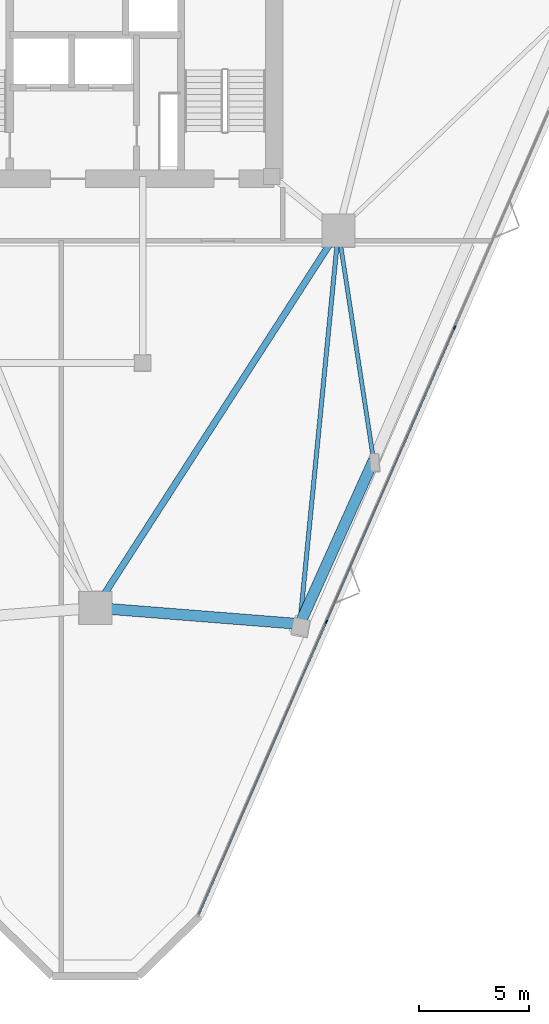
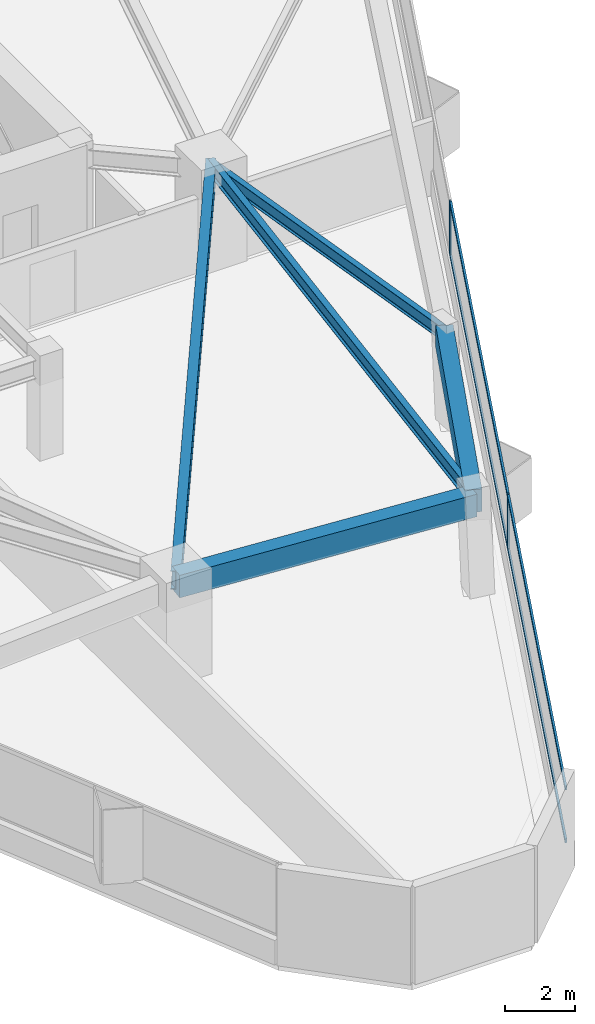
# One storey, part 3 of 13: 6 members, 5 beams, 1 element without a shape of its own.
"""IFC4 building model written with IfcOpenShell, lengths in metres."""

from ifc_helpers import new_model, si_unit, direction, frame, origin, origin_2d, place, context, subcontext, project, spatial, rectangle, i_section, extrude, material, layer, layer_set, material_profile, profile_set, type_object, element, aggregate, save


model = new_model("IFC4")

# Units and contexts
model_context = context("Model", 3, precision=1e-05, world=origin(), true_north=direction((0.0, 1.0)))
body_context = subcontext(model_context, "Body", "Model", "MODEL_VIEW")
ifc_project = project(units=[si_unit("LENGTHUNIT", "METRE"), si_unit("AREAUNIT", "SQUARE_METRE"), si_unit("VOLUMEUNIT", "CUBIC_METRE"), si_unit("PLANEANGLEUNIT", "RADIAN"), si_unit("MASSUNIT", "GRAM", prefix="KILO")], contexts=[model_context])

# Site, building, storey
site_placement = place(None, origin())
site = spatial("IfcSite", under=ifc_project, at=site_placement, CompositionType="ELEMENT")
building_placement = place(site_placement, origin())
building = spatial("IfcBuilding", under=site, at=building_placement, Name="Talyreon Biosciences Tower", CompositionType="ELEMENT")
storey_placement = place(building_placement, frame((0.0, 0.0, 145.449951171875)))
storey = spatial("IfcBuildingStorey", under=building, at=storey_placement, Name="L38", CompositionType="ELEMENT", Elevation=145.449951171875)

# Curtain wall, members
ifc_material_1 = material(Name="Thermally broken aluminium and low-E glazing", Category="aluminium")
ifc_layer = layer(ifc_material_1, 0.18505859375)
ifc_layer_set = layer_set([ifc_layer], Name="Thermally broken aluminium and low-E glazing")
curtain_wall_type = type_object("IfcCurtainWallType", Name="CurtainWall_Zone3Bioprocess", PredefinedType="NOTDEFINED", material=ifc_layer_set)
curtain_wall_placement = place(storey_placement, origin())
curtain_wall = element("IfcCurtainWall", 1, at=curtain_wall_placement, inside=storey, type_object=curtain_wall_type, Name="L38 Unitised Curtain Wall FCW-L38-08", PredefinedType="NOTDEFINED")
ifc_material_2 = material(Name="Anodised thermally broken aluminium", Category="aluminium")
ifc_material_profile_1 = material_profile(ifc_material_2, rectangle(XDim=0.06494140625, YDim=0.179931640625, at=origin_2d()), Name="ALUM MULLION 65x180")
ifc_profile_set_1 = profile_set([ifc_material_profile_1], Name="Anodised thermally broken aluminium")
member_type_1 = type_object("IfcMemberType", Name="CWMullion_65x180", PredefinedType="MULLION", material=ifc_profile_set_1)
member_1_placement = place(storey_placement, frame((82.389404296875, 54.449462890625, 0.81005859375), z_axis=(0.0, 0.0, 1.0), x_axis=(0.916646882049, -0.399698003034, 0.0)))
member_1 = element("IfcMember", 2, at=member_1_placement, type_object=member_type_1, Name="CW4 mullion 3", PredefinedType="MULLION", context=body_context, shape_type="SweptSolid", body=[
    extrude(rectangle(XDim=0.06494140625, YDim=0.179931640625, at=origin_2d()), origin(), (0.0, 0.0, 1.0), 1.889892578125),
])
member_2_placement = place(storey_placement, frame((76.541259765625, 41.037841796875, 0.81005859375), z_axis=(0.0, 0.0, 1.0), x_axis=(0.916646882049, -0.399698003034, 0.0)))
member_2 = element("IfcMember", 3, at=member_2_placement, type_object=member_type_1, Name="CW4 mullion 4", PredefinedType="MULLION", context=body_context, shape_type="SweptSolid", body=[
    extrude(rectangle(XDim=0.06494140625, YDim=0.179931640625, at=origin_2d()), origin(), (0.0, 0.0, 1.0), 1.889892578125),
])
ifc_material_profile_2 = material_profile(ifc_material_2, rectangle(XDim=0.06494140625, YDim=0.139892578125, at=origin_2d()), Name="ALUM TRANSOM 65x140")
ifc_profile_set_2 = profile_set([ifc_material_profile_2], Name="Anodised thermally broken aluminium")
member_type_2 = type_object("IfcMemberType", Name="CWTransom_65x140", PredefinedType="USERDEFINED", material=ifc_profile_set_2)
member_3_placement = place(storey_placement, frame((82.37646484375, 54.419677734375, 0.842529296875), z_axis=(-0.399694844406, -0.916648259342, 0.0), x_axis=(0.916648259342, -0.399694844406, 0.0)))
member_3 = element("IfcMember", 4, at=member_3_placement, type_object=member_type_2, Name="CW4 transom 3.1", ObjectType="TRANSOM", PredefinedType="USERDEFINED", context=body_context, shape_type="SweptSolid", body=[
    extrude(rectangle(XDim=0.06494140625, YDim=0.139892578125, at=origin_2d()), origin(), (0.0, 0.0, 1.0), 14.566162109375),
])
member_4_placement = place(storey_placement, frame((82.37646484375, 54.419677734375, 2.66748046875), z_axis=(-0.399694844406, -0.916648259342, 0.0), x_axis=(0.916648259342, -0.399694844406, 0.0)))
member_4 = element("IfcMember", 5, at=member_4_placement, type_object=member_type_2, Name="CW4 transom 3.2", ObjectType="TRANSOM", PredefinedType="USERDEFINED", context=body_context, shape_type="SweptSolid", body=[
    extrude(rectangle(XDim=0.06494140625, YDim=0.139892578125, at=origin_2d()), origin(), (0.0, 0.0, 1.0), 14.566162109375),
])
member_5_placement = place(storey_placement, frame((76.5283203125, 41.008056640625, 0.842529296875), z_axis=(-0.399697622423, -0.916647048012, 0.0), x_axis=(0.916647048012, -0.399697622423, 0.0)))
member_5 = element("IfcMember", 6, at=member_5_placement, type_object=member_type_2, Name="CW4 transom 4.1", ObjectType="TRANSOM", PredefinedType="USERDEFINED", context=body_context, shape_type="SweptSolid", body=[
    extrude(rectangle(XDim=0.06494140625, YDim=0.139892578125, at=origin_2d()), origin(), (0.0, 0.0, 1.0), 14.53369140625),
])
member_6_placement = place(storey_placement, frame((76.5283203125, 41.008056640625, 2.66748046875), z_axis=(-0.399697622423, -0.916647048012, 0.0), x_axis=(0.916647048012, -0.399697622423, 0.0)))
member_6 = element("IfcMember", 7, at=member_6_placement, type_object=member_type_2, Name="CW4 transom 4.2", ObjectType="TRANSOM", PredefinedType="USERDEFINED", context=body_context, shape_type="SweptSolid", body=[
    extrude(rectangle(XDim=0.06494140625, YDim=0.139892578125, at=origin_2d()), origin(), (0.0, 0.0, 1.0), 14.53369140625),
])
aggregate(curtain_wall, [member_1, member_2, member_3, member_4, member_5, member_6])

# Beams
ifc_material_3 = material(Name="Precast concrete C45/55", Category="concrete")
ifc_material_profile_3 = material_profile(ifc_material_3, rectangle(XDim=0.5, YDim=0.780029296875, at=origin_2d()), Name="RCB 500x780")
ifc_profile_set_3 = profile_set([ifc_material_profile_3], Name="Precast concrete C45/55")
beam_type_1 = type_object("IfcBeamType", Name="ExpressedSpandrel_500x780", PredefinedType="SPANDREL", material=ifc_profile_set_3)
beam_1_placement = place(storey_placement, frame((66.0, 41.6669921875, 2.985107421875), z_axis=(0.996885744257, -0.078859450268, 0.0), x_axis=(0.078859450268, 0.996885744257, 0.0)))
element("IfcBeam", 8, at=beam_1_placement, inside=storey, type_object=beam_type_1, Name="L38 Expressed Horizontal Concrete Spandrel 01", PredefinedType="SPANDREL", context=body_context, shape_type="SweptSolid", body=[
    extrude(rectangle(XDim=0.5, YDim=0.780029296875, at=origin_2d()), origin(), (0.0, 0.0, 1.0), 9.355712890625),
])
beam_2_placement = place(storey_placement, frame((75.32666015625, 40.92919921875, 2.985107421875), z_axis=(0.410846547171, 0.911704510616, 0.0), x_axis=(-0.911704510616, 0.410846547171, 0.0)))
element("IfcBeam", 9, at=beam_2_placement, inside=storey, type_object=beam_type_1, Name="L38 Expressed Horizontal Concrete Spandrel 02", PredefinedType="SPANDREL", context=body_context, shape_type="SweptSolid", body=[
    extrude(rectangle(XDim=0.5, YDim=0.780029296875, at=origin_2d()), origin(), (0.0, 0.0, 1.0), 8.19384765625),
])
ifc_material_4 = material(Name="Steel SM355", Category="steel")
ifc_material_profile_4 = material_profile(ifc_material_4, i_section(OverallWidth=0.300048828125, OverallDepth=0.64990234375, WebThickness=0.01611328125, FlangeThickness=0.031005859375, FilletRadius=0.027099609375, at=origin_2d()), Name="HE650B")
ifc_profile_set_4 = profile_set([ifc_material_profile_4], Name="Steel SM355")
beam_type_2 = type_object("IfcBeamType", Name="SteelBeam_HE650B", PredefinedType="BEAM", material=ifc_profile_set_4)
beam_3_placement = place(storey_placement, frame((66.0, 41.6669921875, 3.050048828125), z_axis=(0.541463723609, 0.840724114092, 0.0), x_axis=(-0.840724114092, 0.541463723609, 0.0)))
element("IfcBeam", 10, at=beam_3_placement, inside=storey, type_object=beam_type_2, Name="L38 Mega-Ring Girder 1", PredefinedType="BEAM", context=body_context, shape_type="SweptSolid", body=[
    extrude(i_section(OverallWidth=0.300048828125, OverallDepth=0.64990234375, WebThickness=0.01611328125, FlangeThickness=0.031005859375, FilletRadius=0.027099609375, at=origin_2d()), origin(), (0.0, 0.0, 1.0), 20.474365234375),
])
ifc_material_profile_5 = material_profile(ifc_material_4, i_section(OverallWidth=0.18994140625, OverallDepth=0.449951171875, WebThickness=0.009521484375, FlangeThickness=0.0146484375, FilletRadius=0.02099609375, at=origin_2d()), Name="IPE450")
ifc_profile_set_5 = profile_set([ifc_material_profile_5], Name="Steel SM355")
beam_type_3 = type_object("IfcBeamType", Name="SteelJoist_IPE450", PredefinedType="JOIST", material=ifc_profile_set_5)
beam_4_placement = place(storey_placement, frame((77.086181640625, 58.88037109375, 3.094970703125), z_axis=(0.151551940677, -0.988449295248, 0.0), x_axis=(0.988449295248, 0.151551940677, 0.0)))
element("IfcBeam", 11, at=beam_4_placement, inside=storey, type_object=beam_type_3, Name="L38 Radial Composite Floor Joist PL-SE", PredefinedType="JOIST", context=body_context, shape_type="SweptSolid", body=[
    extrude(i_section(OverallWidth=0.18994140625, OverallDepth=0.449951171875, WebThickness=0.009521484375, FlangeThickness=0.0146484375, FilletRadius=0.02099609375, at=origin_2d()), origin(), (0.0, 0.0, 1.0), 10.603271484375),
])
ifc_material_profile_6 = material_profile(ifc_material_4, i_section(OverallWidth=0.199951171875, OverallDepth=0.5, WebThickness=0.01025390625, FlangeThickness=0.01611328125, FilletRadius=0.02099609375, at=origin_2d()), Name="IPE500")
ifc_profile_set_6 = profile_set([ifc_material_profile_6], Name="Steel SM355")
beam_type_4 = type_object("IfcBeamType", Name="SteelJoist_IPE500", PredefinedType="JOIST", material=ifc_profile_set_6)
beam_5_placement = place(storey_placement, frame((77.086181640625, 58.88037109375, 3.125), z_axis=(-0.097549605525, -0.995230663948, 0.0), x_axis=(0.995230663948, -0.097549605525, 0.0)))
element("IfcBeam", 12, at=beam_5_placement, inside=storey, type_object=beam_type_4, Name="L38 Radial Composite Floor Joist PC-SE1", PredefinedType="JOIST", context=body_context, shape_type="SweptSolid", body=[
    extrude(i_section(OverallWidth=0.199951171875, OverallDepth=0.5, WebThickness=0.01025390625, FlangeThickness=0.01611328125, FilletRadius=0.02099609375, at=origin_2d()), origin(), (0.0, 0.0, 1.0), 18.037109375),
])

save(model, "model.ifc")
